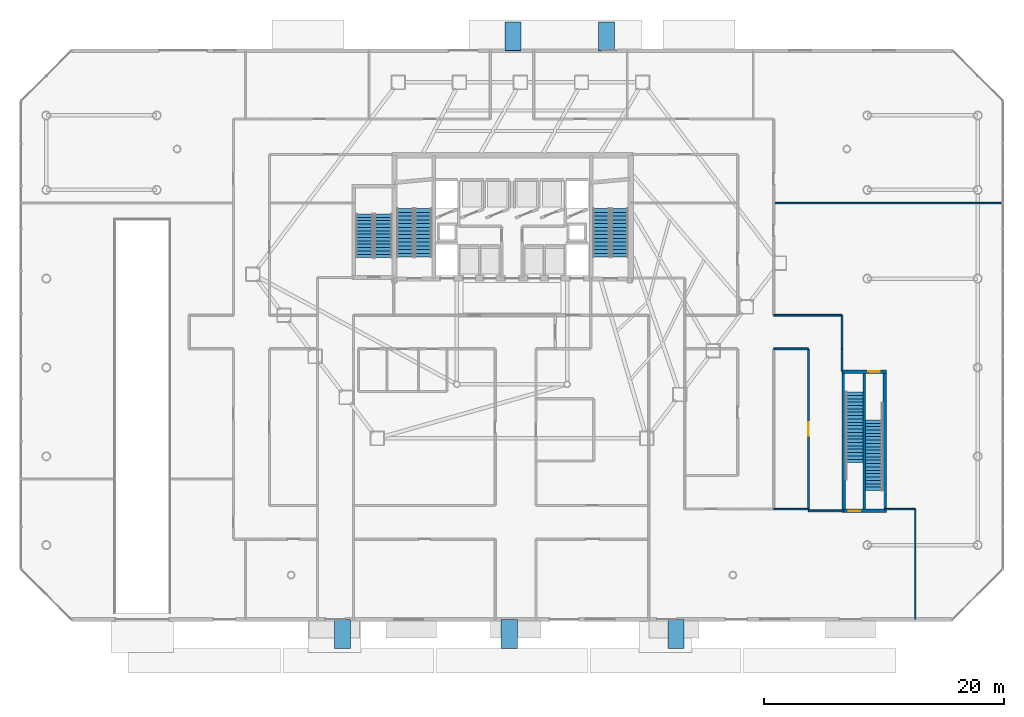
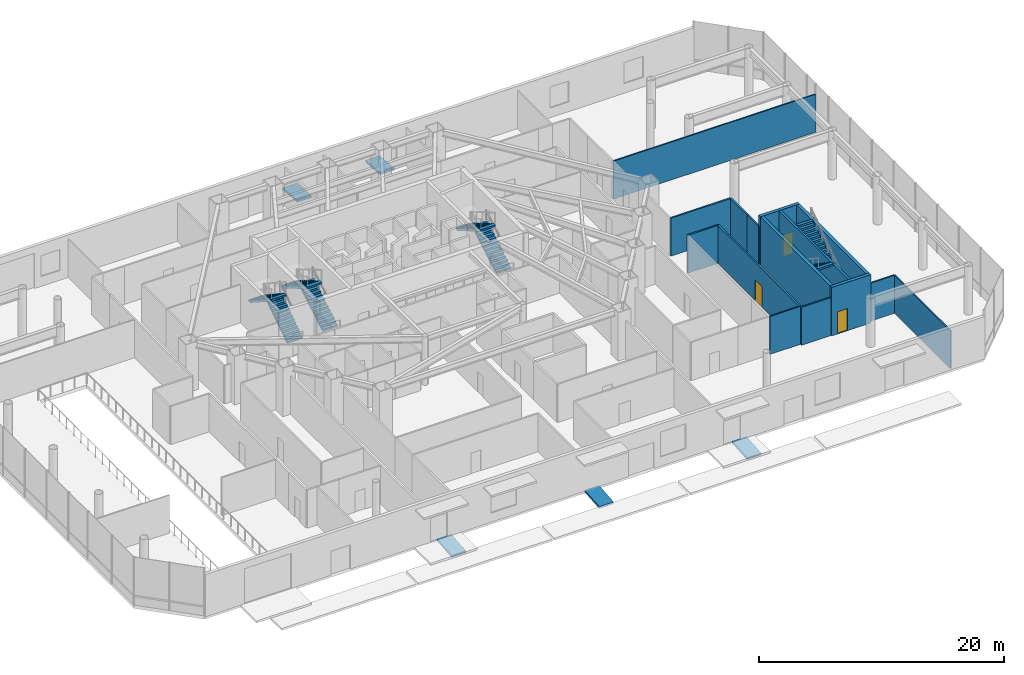
# One storey, part 27 of 31: 15 walls, 8 stair flights, 5 ramp flights, 3 doors, 3 openings, 10 elements without a shape of their own.
"""IFC4 building model written with IfcOpenShell, lengths in metres."""

import ifcopenshell
import ifcopenshell.guid

model = None  # the IFC model being written
_history = None  # IfcOwnerHistory: only IFC2X3 demands one
_inside = {}  # id of a spatial element -> (the spatial element, [elements in it])
_under = {}  # id of a project, library or spatial element -> (it, [spatial elements below it])
_declared = {}  # id of a project -> (the project, [libraries it declares])
_typed = {}  # id of a type object -> (the type object, [elements of that type])
_made_of = {}  # id of a material, layer set ... -> (it, [elements and type objects made of it])


def new_model(schema):
    """Start an empty IFC model of exactly this schema.

    Asked for "IFC4X3", IfcOpenShell would pick the latest addendum, in which some entities
    have other attributes; the version numbers below select the first issue.
    IFC2X3 requires an IfcOwnerHistory on every rooted entity: one is made here for all.
    """
    global model, _history
    if schema == "IFC4X3":
        model = ifcopenshell.file(schema_version=(4, 3, 0, 0))
    else:
        model = ifcopenshell.file(schema=schema)
    _inside.clear()
    _under.clear()
    _declared.clear()
    _typed.clear()
    _made_of.clear()
    _history = None
    if model.schema == "IFC2X3":
        org = make("IfcOrganization", Name="unknown")
        user = make(
            "IfcPersonAndOrganization",
            ThePerson=make("IfcPerson", FamilyName="unknown"),
            TheOrganization=org,
        )
        app = make(
            "IfcApplication",
            ApplicationDeveloper=org,
            Version="unknown",
            ApplicationFullName="unknown",
            ApplicationIdentifier="unknown",
        )
        _history = make(
            "IfcOwnerHistory",
            OwningUser=user,
            OwningApplication=app,
            ChangeAction="ADDED",
            CreationDate=0,
        )
    return model


def make(cls, **values):
    """One entity of the class cls with the attributes given. An attribute that is None is left unset."""
    return model.create_entity(
        cls, **{name: value for name, value in values.items() if value is not None}
    )


def rooted(cls, **values):
    """An entity with a GlobalId (a new one), such as an element, a storey or a relation."""
    return make(cls, GlobalId=ifcopenshell.guid.new(), OwnerHistory=_history, **values)


def si_unit(unit_type, name, prefix=None):
    """IfcSIUnit, for example si_unit("LENGTHUNIT", "METRE", prefix="MILLI")."""
    return make("IfcSIUnit", UnitType=unit_type, Prefix=prefix, Name=name)


def assignment(units):
    """IfcUnitAssignment: the units of a project."""
    return None if units is None else make("IfcUnitAssignment", Units=units)


def point(xyz):
    """IfcCartesianPoint."""
    return None if xyz is None else make("IfcCartesianPoint", Coordinates=xyz)


def direction(xyz):
    """IfcDirection."""
    return None if xyz is None else make("IfcDirection", DirectionRatios=xyz)


def frame(location, z_axis=None, x_axis=None):
    """IfcAxis2Placement3D, a coordinate frame: its origin and axes. An axis left out is left unset."""
    return make(
        "IfcAxis2Placement3D",
        Location=point(location),
        Axis=direction(z_axis),
        RefDirection=direction(x_axis),
    )


def frame_2d(location, x_axis=None):
    """IfcAxis2Placement2D, a coordinate frame in the plane: its origin and x axis."""
    return make(
        "IfcAxis2Placement2D", Location=point(location), RefDirection=direction(x_axis)
    )


def origin():
    """The frame at (0, 0, 0) with its axes left unset."""
    return frame((0.0, 0.0, 0.0))


def place(relative_to, where):
    """IfcLocalPlacement: puts the frame where relative to a parent placement (None: the world)."""
    return make(
        "IfcLocalPlacement", PlacementRelTo=relative_to, RelativePlacement=where
    )


def context(
    kind, dimensions, precision=None, world=None, true_north=None, identifier=None
):
    """IfcGeometricRepresentationContext, for example the 3D "Model" context."""
    return make(
        "IfcGeometricRepresentationContext",
        ContextIdentifier=identifier,
        ContextType=kind,
        CoordinateSpaceDimension=dimensions,
        Precision=precision,
        WorldCoordinateSystem=world,
        TrueNorth=true_north,
    )


def subcontext(parent, identifier, kind, view, scale=None):
    """IfcGeometricRepresentationSubContext, for example "Body" below "Model"."""
    return make(
        "IfcGeometricRepresentationSubContext",
        ContextIdentifier=identifier,
        ContextType=kind,
        ParentContext=parent,
        TargetScale=scale,
        TargetView=view,
    )


def project(units=None, contexts=None):
    """IfcProject with its units and contexts."""
    return rooted(
        "IfcProject",
        Name="project",
        RepresentationContexts=contexts,
        UnitsInContext=assignment(units),
    )


def spatial(cls, under=None, at=None, **own):
    """A site, building, storey or space (cls), placed at a placement, below another one or the project."""
    s = rooted(cls, ObjectPlacement=at, **own)
    if under is not None:
        _under.setdefault(under.id(), (under, []))[1].append(s)
    return s


def polyline(points):
    """IfcPolyline through the points."""
    return make("IfcPolyline", Points=[point(p) for p in points])


def profile(cls, at=None, kind="AREA", **sizes):
    """A parametric profile (cls). Its sizes go by their IFC names, for example OverallWidth=200.0."""
    return make(cls, ProfileType=kind, Position=at, **sizes)


def rectangle(**sizes):
    """IfcRectangleProfileDef."""
    return profile("IfcRectangleProfileDef", **sizes)


def outline(outer, holes=None, kind="AREA"):
    """IfcArbitraryClosedProfileDef: a profile drawn as a closed curve; with holes, ...WithVoids."""
    if holes is None:
        return make("IfcArbitraryClosedProfileDef", ProfileType=kind, OuterCurve=outer)
    return make(
        "IfcArbitraryProfileDefWithVoids",
        ProfileType=kind,
        OuterCurve=outer,
        InnerCurves=holes,
    )


def extrude(swept, where, along, depth):
    """IfcExtrudedAreaSolid: the profile swept, set in the frame where, extruded along a direction by depth."""
    return make(
        "IfcExtrudedAreaSolid",
        SweptArea=swept,
        Position=where,
        ExtrudedDirection=direction(along),
        Depth=depth,
    )


def shape(context_of_items, identifier, shape_type, items):
    """IfcShapeRepresentation: the items that make up one representation, for example the "Body"."""
    return make(
        "IfcShapeRepresentation",
        ContextOfItems=context_of_items,
        RepresentationIdentifier=identifier,
        RepresentationType=shape_type,
        Items=items,
    )


def material(Name=None, Category=None):
    """IfcMaterial."""
    return make("IfcMaterial", Name=Name, Category=Category)


def layer(
    of_material, thickness, ventilated=None, Name=None, Category=None, Priority=None
):
    """IfcMaterialLayer: one layer of a wall or slab, of a material (None: an air gap)."""
    return make(
        "IfcMaterialLayer",
        Material=of_material,
        LayerThickness=thickness,
        IsVentilated=ventilated,
        Name=Name,
        Category=Category,
        Priority=Priority,
    )


def layer_set(layers, Name=None):
    """IfcMaterialLayerSet."""
    return make("IfcMaterialLayerSet", MaterialLayers=layers, LayerSetName=Name)


def made_of(thing, what):
    """Note that an element or type object is made of a material, layer set ...; save() writes the relation."""
    if what is not None:
        _made_of.setdefault(what.id(), (what, []))[1].append(thing)
    return thing


def type_object(cls, material=None, **own):
    """A type object (cls), such as IfcWallType, which elements share."""
    return made_of(rooted(cls, **own), material)


def element(
    cls,
    number,
    at=None,
    inside=None,
    cuts=None,
    type_object=None,
    material=None,
    context=None,
    identifier="Body",
    shape_type=None,
    held_by="IfcProductDefinitionShape",
    body=None,
    shapes=None,
    **own,
):
    """One element of the class cls, such as IfcWall. Its Tag is "e" and its number.

    at: its placement. inside: the storey or other place that contains it. cuts: it is an
    opening in that element (IfcRelVoidsElement). A single representation is given by context,
    identifier, shape_type and body (its items); several are given by shapes. held_by: the class
    of the entity that holds the representations. save() writes the other relations.
    """
    e = rooted(cls, Tag="e%d" % number, ObjectPlacement=at, **own)
    if body is not None:
        shapes = [shape(context, identifier, shape_type, body)]
    if shapes is not None:
        e.Representation = make(held_by, Representations=shapes)
    if inside is not None:
        _inside.setdefault(inside.id(), (inside, []))[1].append(e)
    if cuts is not None:
        rooted(
            "IfcRelVoidsElement", RelatingBuildingElement=cuts, RelatedOpeningElement=e
        )
    if type_object is not None:
        _typed.setdefault(type_object.id(), (type_object, []))[1].append(e)
    return made_of(e, material)


def fill(opening, filler):
    """IfcRelFillsElement: the door or window that sits in an opening."""
    return rooted(
        "IfcRelFillsElement",
        RelatingOpeningElement=opening,
        RelatedBuildingElement=filler,
    )


def aggregate(whole, parts):
    """IfcRelAggregates: a whole, such as a stair, and the parts it consists of."""
    return rooted("IfcRelAggregates", RelatingObject=whole, RelatedObjects=parts)


def save(model, path):
    """Write the relations noted so far, then the file.

    IfcRelAggregates (storeys below a building ...), IfcRelContainedInSpatialStructure (elements
    in a storey), IfcRelDefinesByType, IfcRelAssociatesMaterial and IfcRelDeclares: one each for
    every whole, place, type object, material and project.
    """
    for whole, parts in _under.values():
        aggregate(whole, parts)
    for where, things in _inside.values():
        rooted(
            "IfcRelContainedInSpatialStructure",
            RelatedElements=things,
            RelatingStructure=where,
        )
    for kind, things in _typed.values():
        rooted("IfcRelDefinesByType", RelatedObjects=things, RelatingType=kind)
    for what, things in _made_of.values():
        rooted("IfcRelAssociatesMaterial", RelatedObjects=things, RelatingMaterial=what)
    for by, libraries in _declared.values():
        rooted("IfcRelDeclares", RelatingContext=by, RelatedDefinitions=libraries)
    model.write(path)


model = new_model("IFC4")

# Units and contexts
model_context = context("Model", 3, precision=1e-05, world=origin(), true_north=direction((0.0, 1.0)))
body_context = subcontext(model_context, "Body", "Model", "MODEL_VIEW")
ifc_project = project(units=[si_unit("LENGTHUNIT", "METRE"), si_unit("AREAUNIT", "SQUARE_METRE"), si_unit("VOLUMEUNIT", "CUBIC_METRE"), si_unit("PLANEANGLEUNIT", "RADIAN"), si_unit("MASSUNIT", "GRAM", prefix="KILO")], contexts=[model_context])

# Site, building, storey
site_placement = place(None, origin())
site = spatial("IfcSite", under=ifc_project, at=site_placement, CompositionType="ELEMENT")
building_placement = place(site_placement, origin())
building = spatial("IfcBuilding", under=site, at=building_placement, Name="Zarrinselat Tower", CompositionType="ELEMENT")
storey_placement = place(building_placement, origin())
storey = spatial("IfcBuildingStorey", under=building, at=storey_placement, Name="L00", CompositionType="ELEMENT", Elevation=0.0)

# Wall
ifc_material_1 = material(Name="Fire-Rated Gypsum Board Partition", Category="gypsum")
ifc_layer_1 = layer(ifc_material_1, 0.14990234375)
ifc_layer_set_1 = layer_set([ifc_layer_1], Name="Fire-Rated Gypsum Board Partition")
wall_type_1 = type_object("IfcWallType", Name="WAL-PART-EI60", PredefinedType="PARTITIONING", material=ifc_layer_set_1)
wall_1_placement = place(storey_placement, frame((63.10009765625, 13.85009765625, 0.0), z_axis=(0.0, 0.0, 1.0), x_axis=(1.0, 0.0, 0.0)))
element("IfcWall", 1, at=wall_1_placement, inside=storey, type_object=wall_type_1, Name="L00 Partition Wall 35", PredefinedType="PARTITIONING", context=body_context, shape_type="SweptSolid", body=[
    extrude(rectangle(XDim=2.934814453125, YDim=0.14990234375, at=frame_2d((1.46728515625, 0.0))), origin(), (0.0, 0.0, 1.0), 3.777099609375),
])

# Wall, opening, door
wall_2_placement = place(storey_placement, frame((63.10009765625, 14.0048828125, 0.0), z_axis=(0.0, 0.0, 1.0), x_axis=(0.0, 1.0, 0.0)))
wall_2 = element("IfcWall", 2, at=wall_2_placement, inside=storey, type_object=wall_type_1, Name="L00 Partition Wall 38", PredefinedType="PARTITIONING", context=body_context, shape_type="SweptSolid", body=[
    extrude(rectangle(XDim=13.3251953125, YDim=0.14990234375, at=frame_2d((6.66259765625, 0.0))), origin(), (0.0, 0.0, 1.0), 3.777099609375),
])
opening_1_placement = place(wall_2_placement, frame((6.1025390625, 0.0, 0.0)))
opening_1 = element("IfcOpeningElement", 3, at=opening_1_placement, cuts=wall_2, Name="Opening ID-02", PredefinedType="OPENING", context=body_context, shape_type="SweptSolid", body=[
    extrude(rectangle(XDim=1.1201171875, YDim=2.050048828125, at=frame_2d((0.56005859375, 1.02490234375))), frame((0.0, 0.0849609375, 0.0), z_axis=(0.0, -1.0, 0.0), x_axis=(1.0, 0.0, 0.0)), (0.0, 0.0, 1.0), 0.169921875),
])
ifc_material_2 = material(Name="Steel S355J2", Category="steel")
door_type_1 = type_object("IfcDoorType", Name="DR-INT-FD60-W", OperationType="NOTDEFINED", PredefinedType="DOOR", material=ifc_material_2)
door_1_placement = place(opening_1_placement, origin())
door_1 = element("IfcDoor", 4, at=door_1_placement, inside=storey, type_object=door_type_1, Name="L00 Interior Door P38", OperationType="SINGLE_SWING_LEFT", OverallHeight=2.050048828125, OverallWidth=1.1201171875, PredefinedType="DOOR", context=body_context, shape_type="SweptSolid", body=[
    extrude(rectangle(XDim=1.1201171875, YDim=2.050048828125, at=frame_2d((0.56005859375, 1.02490234375))), frame((0.0, 0.02490234375, 0.0), z_axis=(0.0, -1.0, 0.0), x_axis=(1.0, 0.0, 0.0)), (0.0, 0.0, 1.0), 0.050048828125),
])
fill(opening_1, door_1)

# Walls
wall_3_placement = place(storey_placement, frame((60.219970703125, 27.35009765625, 0.0), z_axis=(0.0, 0.0, 1.0), x_axis=(1.0, 0.0, 0.0)))
element("IfcWall", 5, at=wall_3_placement, inside=storey, type_object=wall_type_1, Name="L00 Partition Wall 39", PredefinedType="PARTITIONING", context=body_context, shape_type="SweptSolid", body=[
    extrude(rectangle(XDim=2.860107421875, YDim=0.14990234375, at=frame_2d((1.43017578125, 0.0))), origin(), (0.0, 0.0, 1.0), 3.777099609375),
])
wall_4_placement = place(storey_placement, frame((60.219970703125, 30.14990234375, 0.0), z_axis=(0.0, 0.0, 1.0), x_axis=(1.0, 0.0, 0.0)))
element("IfcWall", 6, at=wall_4_placement, inside=storey, type_object=wall_type_1, Name="L00 Partition Wall 43", PredefinedType="PARTITIONING", context=body_context, shape_type="SweptSolid", body=[
    extrude(rectangle(XDim=5.659912109375, YDim=0.14990234375, at=frame_2d((2.830078125, 0.0))), origin(), (0.0, 0.0, 1.0), 3.777099609375),
])
wall_5_placement = place(storey_placement, frame((65.89990234375, 27.35009765625, 0.0), z_axis=(0.0, 0.0, 1.0), x_axis=(0.0, 1.0, 0.0)))
element("IfcWall", 7, at=wall_5_placement, inside=storey, type_object=wall_type_1, Name="L00 Partition Wall 44", PredefinedType="PARTITIONING", context=body_context, shape_type="SweptSolid", body=[
    extrude(rectangle(XDim=2.77978515625, YDim=0.14990234375, at=frame_2d((1.389892578125, 0.0))), origin(), (0.0, 0.0, 1.0), 3.777099609375),
])
wall_6_placement = place(storey_placement, frame((65.89990234375, 25.469970703125, 0.0), z_axis=(0.0, 0.0, 1.0), x_axis=(0.0, 1.0, 0.0)))
element("IfcWall", 8, at=wall_6_placement, inside=storey, type_object=wall_type_1, Name="L00 Partition Wall 45", PredefinedType="PARTITIONING", context=body_context, shape_type="SweptSolid", body=[
    extrude(rectangle(XDim=1.880126953125, YDim=0.14990234375, at=frame_2d((0.93994140625, 0.0))), origin(), (0.0, 0.0, 1.0), 3.777099609375),
])
ifc_material_3 = material(Name="Fire-Rated Gypsum Board Partition", Category="gypsum")
ifc_layer_2 = layer(ifc_material_3, 0.1201171875)
ifc_layer_set_2 = layer_set([ifc_layer_2], Name="Fire-Rated Gypsum Board Partition")
wall_type_2 = type_object("IfcWallType", Name="WAL-PART-STD", PredefinedType="PARTITIONING", material=ifc_layer_set_2)
wall_7_placement = place(storey_placement, frame((60.219970703125, 14.0, 0.0), z_axis=(0.0, 0.0, 1.0), x_axis=(1.0, 0.0, 0.0)))
element("IfcWall", 9, at=wall_7_placement, inside=storey, type_object=wall_type_2, Name="L00 Partition Wall 109", PredefinedType="PARTITIONING", context=body_context, shape_type="SweptSolid", body=[
    extrude(rectangle(XDim=2.860107421875, YDim=0.1201171875, at=frame_2d((1.43017578125, 0.0))), origin(), (0.0, 0.0, 1.0), 3.777099609375),
])
wall_8_placement = place(storey_placement, frame((69.465087890625, 14.0, 0.0), z_axis=(0.0, 0.0, 1.0), x_axis=(1.0, 0.0, 0.0)))
element("IfcWall", 10, at=wall_8_placement, inside=storey, type_object=wall_type_2, Name="L00 Partition Wall 110", PredefinedType="PARTITIONING", context=body_context, shape_type="SweptSolid", body=[
    extrude(rectangle(XDim=2.514892578125, YDim=0.1201171875, at=frame_2d((1.25732421875, 0.0))), origin(), (0.0, 0.0, 1.0), 3.777099609375),
])
wall_9_placement = place(storey_placement, frame((72.0, 4.81494140625, 0.0), z_axis=(0.0, 0.0, 1.0), x_axis=(0.0, 1.0, 0.0)))
element("IfcWall", 11, at=wall_9_placement, inside=storey, type_object=wall_type_2, Name="L00 Partition Wall 111", PredefinedType="PARTITIONING", context=body_context, shape_type="SweptSolid", body=[
    extrude(rectangle(XDim=9.1650390625, YDim=0.1201171875, at=frame_2d((4.58251953125, 0.0))), origin(), (0.0, 0.0, 1.0), 3.777099609375),
])
wall_10_placement = place(storey_placement, frame((60.219970703125, 39.5, 0.0), z_axis=(0.0, 0.0, 1.0), x_axis=(1.0, 0.0, 0.0)))
element("IfcWall", 12, at=wall_10_placement, inside=storey, type_object=wall_type_2, Name="L00 Partition Wall 112", PredefinedType="PARTITIONING", context=body_context, shape_type="SweptSolid", body=[
    extrude(rectangle(XDim=19.06494140625, YDim=0.1201171875, at=frame_2d((9.532470703125, 0.0))), origin(), (0.0, 0.0, 1.0), 3.777099609375),
])

# Wall, opening, door
ifc_material_4 = material(Name="Concrete C40/50", Category="concrete")
ifc_layer_3 = layer(ifc_material_4, 0.300048828125)
ifc_layer_set_3 = layer_set([ifc_layer_3], Name="Concrete C40/50")
wall_type_3 = type_object("IfcWallType", Name="WAL-SHEAR-300", PredefinedType="SHEAR", material=ifc_layer_set_3)
wall_11_placement = place(storey_placement, frame((65.89990234375, 25.449951171875, 0.0), z_axis=(0.0, 0.0, 1.0), x_axis=(1.0, 0.0, 0.0)))
wall_11 = element("IfcWall", 13, at=wall_11_placement, inside=storey, type_object=wall_type_3, Name="L00 Stair 4 North Shear Wall", PredefinedType="SHEAR", context=body_context, shape_type="SweptSolid", body=[
    extrude(rectangle(XDim=3.7001953125, YDim=0.300048828125, at=frame_2d((1.85009765625, 0.0))), origin(), (0.0, 0.0, 1.0), 4.820068359375),
])
opening_2_placement = place(wall_11_placement, frame((2.199951171875, 0.0, 0.0)))
opening_2 = element("IfcOpeningElement", 14, at=opening_2_placement, cuts=wall_11, Name="Opening SD-02", PredefinedType="OPENING", context=body_context, shape_type="SweptSolid", body=[
    extrude(rectangle(XDim=0.949951171875, YDim=2.199951171875, at=frame_2d((0.47509765625, 1.10009765625))), frame((0.0, 0.159912109375, 0.0), z_axis=(0.0, -1.0, 0.0), x_axis=(1.0, 0.0, 0.0)), (0.0, 0.0, 1.0), 0.320068359375),
])
ifc_material_5 = material(Name="Steel S355J2", Category="steel")
door_type_2 = type_object("IfcDoorType", Name="DR-STAIR-1050", OperationType="NOTDEFINED", PredefinedType="DOOR", material=ifc_material_5)
door_2_placement = place(opening_2_placement, origin())
door_2 = element("IfcDoor", 15, at=door_2_placement, inside=storey, type_object=door_type_2, Name="L00 Stair 4B Fire Door", OperationType="SINGLE_SWING_RIGHT", OverallHeight=2.199951171875, OverallWidth=0.949951171875, PredefinedType="DOOR", context=body_context, shape_type="SweptSolid", body=[
    extrude(rectangle(XDim=0.949951171875, YDim=2.199951171875, at=frame_2d((0.47509765625, 1.10009765625))), frame((0.0, 0.02490234375, 0.0), z_axis=(0.0, -1.0, 0.0), x_axis=(1.0, 0.0, 0.0)), (0.0, 0.0, 1.0), 0.050048828125),
])
fill(opening_2, door_2)

wall_12_placement = place(storey_placement, frame((65.89990234375, 13.85009765625, 0.0), z_axis=(0.0, 0.0, 1.0), x_axis=(1.0, 0.0, 0.0)))
wall_12 = element("IfcWall", 16, at=wall_12_placement, inside=storey, type_object=wall_type_3, Name="L00 Stair 4 South Shear Wall", PredefinedType="SHEAR", context=body_context, shape_type="SweptSolid", body=[
    extrude(rectangle(XDim=3.7001953125, YDim=0.300048828125, at=frame_2d((1.85009765625, 0.0))), origin(), (0.0, 0.0, 1.0), 4.820068359375),
])
opening_3_placement = place(wall_12_placement, frame((0.550048828125, 0.0, 0.0)))
opening_3 = element("IfcOpeningElement", 17, at=opening_3_placement, cuts=wall_12, Name="Opening SD-02", PredefinedType="OPENING", context=body_context, shape_type="SweptSolid", body=[
    extrude(rectangle(XDim=0.949951171875, YDim=2.199951171875, at=frame_2d((0.47509765625, 1.10009765625))), frame((0.0, 0.159912109375, 0.0), z_axis=(0.0, -1.0, 0.0), x_axis=(1.0, 0.0, 0.0)), (0.0, 0.0, 1.0), 0.320068359375),
])
door_3_placement = place(opening_3_placement, origin())
door_3 = element("IfcDoor", 18, at=door_3_placement, inside=storey, type_object=door_type_2, Name="L00 Stair 4A Fire Door", OperationType="SINGLE_SWING_LEFT", OverallHeight=2.199951171875, OverallWidth=0.949951171875, PredefinedType="DOOR", context=body_context, shape_type="SweptSolid", body=[
    extrude(rectangle(XDim=0.949951171875, YDim=2.199951171875, at=frame_2d((0.47509765625, 1.10009765625))), frame((0.0, 0.02490234375, 0.0), z_axis=(0.0, -1.0, 0.0), x_axis=(1.0, 0.0, 0.0)), (0.0, 0.0, 1.0), 0.050048828125),
])
fill(opening_3, door_3)

# Walls
for number, where, z_axis, x_axis, name in (
    (19, (66.050048828125, 13.85009765625, 0.0), (0.0, 0.0, 1.0), (0.0, 1.0, 0.0), "L00 Stair 4 West Shear Wall"),
    (20, (69.449951171875, 13.85009765625, 0.0), (0.0, 0.0, 1.0), (0.0, 1.0, 0.0), "L00 Stair 4 East Shear Wall"),
):
    element("IfcWall", number, at=place(storey_placement, frame(where, z_axis=z_axis, x_axis=x_axis)), inside=storey, type_object=wall_type_3, Name=name, PredefinedType="SHEAR", context=body_context, shape_type="SweptSolid", body=[
        extrude(rectangle(XDim=11.599853515625, YDim=0.300048828125, at=frame_2d((5.7998046875, 0.0))), origin(), (0.0, 0.0, 1.0), 4.820068359375),
    ])
wall_13_placement = place(storey_placement, frame((67.75, 14.0, 0.0), z_axis=(0.0, 0.0, 1.0), x_axis=(0.0, 1.0, 0.0)))
element("IfcWall", 21, at=wall_13_placement, inside=storey, type_object=wall_type_3, Name="L00 Stair 4 Scissor Dividing Wall", PredefinedType="SHEAR", context=body_context, shape_type="SweptSolid", body=[
    extrude(rectangle(XDim=11.300048828125, YDim=0.199951171875, at=frame_2d((5.64990234375, 0.0))), origin(), (0.0, 0.0, 1.0), 4.820068359375),
])

# Stair, stair flights
ifc_material_6 = material(Name="Concrete C40/50", Category="concrete")
stair_type_1 = type_object("IfcStairType", Name="STR-CORE-145", PredefinedType="HALF_TURN_STAIR", material=ifc_material_6)
stair_1_placement = place(storey_placement, origin())
stair_1 = element("IfcStair", 22, at=stair_1_placement, inside=storey, type_object=stair_type_1, Name="L00 Podium & Mid-Tower Exit Stair 3", PredefinedType="HALF_TURN_STAIR")
ifc_material_7 = material(Name="Concrete C40/50", Category="concrete")
stair_flight_type_1 = type_object("IfcStairFlightType", Name="STR-FLT-145", PredefinedType="STRAIGHT", material=ifc_material_7)
stair_flight_1_placement = place(storey_placement, frame((27.675048828125, 34.949951171875, 0.0), z_axis=(0.0, 0.0, 1.0), x_axis=(0.0, 1.0, 0.0)))
stair_flight_1 = element("IfcStairFlight", 23, at=stair_flight_1_placement, type_object=stair_flight_type_1, Name="ST-3 flight 1", NumberOfRisers=14, NumberOfTreads=13, PredefinedType="STRAIGHT", RiserHeight=0.182142857, TreadLength=0.28, context=body_context, shape_type="SweptSolid", body=[
    extrude(outline(polyline([(0.0, 0.0), (0.0, 0.18212890625), (0.280029296875, 0.18212890625), (0.280029296875, 0.3642578125), (0.56005859375, 0.3642578125), (0.56005859375, 0.54638671875), (0.840087890625, 0.54638671875), (0.840087890625, 0.728515625), (1.1201171875, 0.728515625), (1.1201171875, 0.91064453125), (1.39990234375, 0.91064453125), (1.39990234375, 1.0927734375), (1.679931640625, 1.0927734375), (1.679931640625, 1.27490234375), (1.9599609375, 1.27490234375), (1.9599609375, 1.45703125), (2.239990234375, 1.45703125), (2.239990234375, 1.639404296875), (2.52001953125, 1.639404296875), (2.52001953125, 1.821533203125), (2.800048828125, 1.821533203125), (2.800048828125, 2.003662109375), (3.080078125, 2.003662109375), (3.080078125, 2.185791015625), (3.360107421875, 2.185791015625), (3.360107421875, 2.367919921875), (3.639892578125, 2.367919921875), (3.639892578125, 2.550048828125), (3.639892578125, 2.18896484375), (0.27490234375, 0.0), (0.0, 0.0)])), frame((0.0, 0.72509765625, 0.0), z_axis=(0.0, -1.0, 0.0), x_axis=(1.0, 0.0, 0.0)), (0.0, 0.0, 1.0), 1.449951171875),
])
stair_flight_2_placement = place(storey_placement, frame((26.10498046875, 38.590087890625, 2.550048828125), z_axis=(0.0, 0.0, 1.0), x_axis=(0.0, -1.0, 0.0)))
stair_flight_2 = element("IfcStairFlight", 24, at=stair_flight_2_placement, type_object=stair_flight_type_1, Name="ST-3 flight 2", NumberOfRisers=14, NumberOfTreads=13, PredefinedType="STRAIGHT", RiserHeight=0.182142857, TreadLength=0.28, context=body_context, shape_type="SweptSolid", body=[
    extrude(outline(polyline([(0.0, 0.0), (0.0, 0.18212890625), (0.280029296875, 0.18212890625), (0.280029296875, 0.3642578125), (0.56005859375, 0.3642578125), (0.56005859375, 0.54638671875), (0.840087890625, 0.54638671875), (0.840087890625, 0.728515625), (1.1201171875, 0.728515625), (1.1201171875, 0.91064453125), (1.39990234375, 0.91064453125), (1.39990234375, 1.0927734375), (1.679931640625, 1.0927734375), (1.679931640625, 1.27490234375), (1.9599609375, 1.27490234375), (1.9599609375, 1.45703125), (2.239990234375, 1.45703125), (2.239990234375, 1.639404296875), (2.52001953125, 1.639404296875), (2.52001953125, 1.821533203125), (2.800048828125, 1.821533203125), (2.800048828125, 2.003662109375), (3.080078125, 2.003662109375), (3.080078125, 2.185791015625), (3.360107421875, 2.185791015625), (3.360107421875, 2.367919921875), (3.639892578125, 2.367919921875), (3.639892578125, 2.550048828125), (3.639892578125, 2.18896484375), (0.27490234375, 0.0), (0.0, 0.0)])), frame((0.0, 0.72509765625, 0.0), z_axis=(0.0, -1.0, 0.0), x_axis=(1.0, 0.0, 0.0)), (0.0, 0.0, 1.0), 1.449951171875),
])
aggregate(stair_1, [stair_flight_1, stair_flight_2])

ifc_material_8 = material(Name="Concrete C40/50", Category="concrete")
stair_type_2 = type_object("IfcStairType", Name="STR-CORE-155", PredefinedType="HALF_TURN_STAIR", material=ifc_material_8)
stair_2_placement = place(storey_placement, origin())
stair_2 = element("IfcStair", 25, at=stair_2_placement, inside=storey, type_object=stair_type_2, Name="L00 Core Exit Stair 1", PredefinedType="HALF_TURN_STAIR")
ifc_material_9 = material(Name="Concrete C40/50", Category="concrete")
stair_flight_type_2 = type_object("IfcStairFlightType", Name="STR-FLT-155", PredefinedType="STRAIGHT", material=ifc_material_9)
stair_flight_3_placement = place(storey_placement, frame((31.02001953125, 35.0, 0.0), z_axis=(0.0, 0.0, 1.0), x_axis=(0.0, 1.0, 0.0)))
stair_flight_3 = element("IfcStairFlight", 26, at=stair_flight_3_placement, type_object=stair_flight_type_2, Name="ST-1 flight 1", NumberOfRisers=14, NumberOfTreads=13, PredefinedType="STRAIGHT", RiserHeight=0.182142857, TreadLength=0.31, context=body_context, shape_type="SweptSolid", body=[
    extrude(outline(polyline([(0.0, 0.0), (0.0, 0.18212890625), (0.31005859375, 0.18212890625), (0.31005859375, 0.3642578125), (0.6201171875, 0.3642578125), (0.6201171875, 0.54638671875), (0.929931640625, 0.54638671875), (0.929931640625, 0.728515625), (1.239990234375, 0.728515625), (1.239990234375, 0.91064453125), (1.550048828125, 0.91064453125), (1.550048828125, 1.0927734375), (1.860107421875, 1.0927734375), (1.860107421875, 1.27490234375), (2.169921875, 1.27490234375), (2.169921875, 1.45703125), (2.47998046875, 1.45703125), (2.47998046875, 1.639404296875), (2.7900390625, 1.639404296875), (2.7900390625, 1.821533203125), (3.10009765625, 1.821533203125), (3.10009765625, 2.003662109375), (3.409912109375, 2.003662109375), (3.409912109375, 2.185791015625), (3.719970703125, 2.185791015625), (3.719970703125, 2.367919921875), (4.030029296875, 2.367919921875), (4.030029296875, 2.550048828125), (4.030029296875, 2.194091796875), (0.2958984375, 0.0), (0.0, 0.0)])), frame((0.0, 0.699951171875, 0.0), z_axis=(0.0, -1.0, 0.0), x_axis=(1.0, 0.0, 0.0)), (0.0, 0.0, 1.0), 1.39990234375),
])
stair_flight_4_placement = place(storey_placement, frame((29.5, 39.030029296875, 2.550048828125), z_axis=(0.0, 0.0, 1.0), x_axis=(0.0, -1.0, 0.0)))
stair_flight_4 = element("IfcStairFlight", 27, at=stair_flight_4_placement, type_object=stair_flight_type_2, Name="ST-1 flight 2", NumberOfRisers=14, NumberOfTreads=13, PredefinedType="STRAIGHT", RiserHeight=0.182142857, TreadLength=0.31, context=body_context, shape_type="SweptSolid", body=[
    extrude(outline(polyline([(0.0, 0.0), (0.0, 0.18212890625), (0.31005859375, 0.18212890625), (0.31005859375, 0.3642578125), (0.6201171875, 0.3642578125), (0.6201171875, 0.54638671875), (0.929931640625, 0.54638671875), (0.929931640625, 0.728515625), (1.239990234375, 0.728515625), (1.239990234375, 0.91064453125), (1.550048828125, 0.91064453125), (1.550048828125, 1.0927734375), (1.860107421875, 1.0927734375), (1.860107421875, 1.27490234375), (2.169921875, 1.27490234375), (2.169921875, 1.45703125), (2.47998046875, 1.45703125), (2.47998046875, 1.639404296875), (2.7900390625, 1.639404296875), (2.7900390625, 1.821533203125), (3.10009765625, 1.821533203125), (3.10009765625, 2.003662109375), (3.409912109375, 2.003662109375), (3.409912109375, 2.185791015625), (3.719970703125, 2.185791015625), (3.719970703125, 2.367919921875), (4.030029296875, 2.367919921875), (4.030029296875, 2.550048828125), (4.030029296875, 2.194091796875), (0.2958984375, 0.0), (0.0, 0.0)])), frame((0.0, 0.699951171875, 0.0), z_axis=(0.0, -1.0, 0.0), x_axis=(1.0, 0.0, 0.0)), (0.0, 0.0, 1.0), 1.39990234375),
])
aggregate(stair_2, [stair_flight_3, stair_flight_4])

stair_3_placement = place(storey_placement, origin())
stair_3 = element("IfcStair", 28, at=stair_3_placement, inside=storey, type_object=stair_type_2, Name="L00 Core Exit Stair 2", PredefinedType="HALF_TURN_STAIR")
stair_flight_5_placement = place(storey_placement, frame((47.360107421875, 35.0, 0.0), z_axis=(0.0, 0.0, 1.0), x_axis=(0.0, 1.0, 0.0)))
stair_flight_5 = element("IfcStairFlight", 29, at=stair_flight_5_placement, type_object=stair_flight_type_2, Name="ST-2 flight 1", NumberOfRisers=14, NumberOfTreads=13, PredefinedType="STRAIGHT", RiserHeight=0.182142857, TreadLength=0.31, context=body_context, shape_type="SweptSolid", body=[
    extrude(outline(polyline([(0.0, 0.0), (0.0, 0.18212890625), (0.31005859375, 0.18212890625), (0.31005859375, 0.3642578125), (0.6201171875, 0.3642578125), (0.6201171875, 0.54638671875), (0.929931640625, 0.54638671875), (0.929931640625, 0.728515625), (1.239990234375, 0.728515625), (1.239990234375, 0.91064453125), (1.550048828125, 0.91064453125), (1.550048828125, 1.0927734375), (1.860107421875, 1.0927734375), (1.860107421875, 1.27490234375), (2.169921875, 1.27490234375), (2.169921875, 1.45703125), (2.47998046875, 1.45703125), (2.47998046875, 1.639404296875), (2.7900390625, 1.639404296875), (2.7900390625, 1.821533203125), (3.10009765625, 1.821533203125), (3.10009765625, 2.003662109375), (3.409912109375, 2.003662109375), (3.409912109375, 2.185791015625), (3.719970703125, 2.185791015625), (3.719970703125, 2.367919921875), (4.030029296875, 2.367919921875), (4.030029296875, 2.550048828125), (4.030029296875, 2.194091796875), (0.2958984375, 0.0), (0.0, 0.0)])), frame((0.0, 0.699951171875, 0.0), z_axis=(0.0, -1.0, 0.0), x_axis=(1.0, 0.0, 0.0)), (0.0, 0.0, 1.0), 1.39990234375),
])
stair_flight_6_placement = place(storey_placement, frame((45.840087890625, 39.030029296875, 2.550048828125), z_axis=(0.0, 0.0, 1.0), x_axis=(0.0, -1.0, 0.0)))
stair_flight_6 = element("IfcStairFlight", 30, at=stair_flight_6_placement, type_object=stair_flight_type_2, Name="ST-2 flight 2", NumberOfRisers=14, NumberOfTreads=13, PredefinedType="STRAIGHT", RiserHeight=0.182142857, TreadLength=0.31, context=body_context, shape_type="SweptSolid", body=[
    extrude(outline(polyline([(0.0, 0.0), (0.0, 0.18212890625), (0.31005859375, 0.18212890625), (0.31005859375, 0.3642578125), (0.6201171875, 0.3642578125), (0.6201171875, 0.54638671875), (0.929931640625, 0.54638671875), (0.929931640625, 0.728515625), (1.239990234375, 0.728515625), (1.239990234375, 0.91064453125), (1.550048828125, 0.91064453125), (1.550048828125, 1.0927734375), (1.860107421875, 1.0927734375), (1.860107421875, 1.27490234375), (2.169921875, 1.27490234375), (2.169921875, 1.45703125), (2.47998046875, 1.45703125), (2.47998046875, 1.639404296875), (2.7900390625, 1.639404296875), (2.7900390625, 1.821533203125), (3.10009765625, 1.821533203125), (3.10009765625, 2.003662109375), (3.409912109375, 2.003662109375), (3.409912109375, 2.185791015625), (3.719970703125, 2.185791015625), (3.719970703125, 2.367919921875), (4.030029296875, 2.367919921875), (4.030029296875, 2.550048828125), (4.030029296875, 2.194091796875), (0.2958984375, 0.0), (0.0, 0.0)])), frame((0.0, 0.699951171875, 0.0), z_axis=(0.0, -1.0, 0.0), x_axis=(1.0, 0.0, 0.0)), (0.0, 0.0, 1.0), 1.39990234375),
])
aggregate(stair_3, [stair_flight_5, stair_flight_6])

# Stair, stair flight
ifc_material_10 = material(Name="Precast concrete C40/50", Category="concrete")
stair_type_3 = type_object("IfcStairType", Name="STR-GDN-180", PredefinedType="STRAIGHT_RUN_STAIR", material=ifc_material_10)
stair_4_placement = place(storey_placement, origin())
stair_4 = element("IfcStair", 31, at=stair_4_placement, inside=storey, type_object=stair_type_3, Name="L00 East Podium Gallery Straight Stair 4 A", PredefinedType="STRAIGHT_RUN_STAIR")
ifc_material_11 = material(Name="Precast concrete C40/50", Category="concrete")
stair_flight_type_3 = type_object("IfcStairFlightType", Name="STR-FLT-180", PredefinedType="STRAIGHT", material=ifc_material_11)
stair_flight_7_placement = place(storey_placement, frame((68.574951171875, 15.550048828125, 0.0), z_axis=(0.0, 0.0, 1.0), x_axis=(0.0, 1.0, 0.0)))
stair_flight_7 = element("IfcStairFlight", 32, at=stair_flight_7_placement, type_object=stair_flight_type_3, Name="ST-4A flight 1", NumberOfRisers=27, NumberOfTreads=26, PredefinedType="STRAIGHT", RiserHeight=0.188888889, TreadLength=0.28, context=body_context, shape_type="SweptSolid", body=[
    extrude(outline(polyline([(0.0, 0.0), (0.0, 0.18896484375), (0.280029296875, 0.18896484375), (0.280029296875, 0.377685546875), (0.56005859375, 0.377685546875), (0.56005859375, 0.566650390625), (0.840087890625, 0.566650390625), (0.840087890625, 0.755615234375), (1.1201171875, 0.755615234375), (1.1201171875, 0.9443359375), (1.39990234375, 0.9443359375), (1.39990234375, 1.13330078125), (1.679931640625, 1.13330078125), (1.679931640625, 1.322265625), (1.9599609375, 1.322265625), (1.9599609375, 1.51123046875), (2.239990234375, 1.51123046875), (2.239990234375, 1.699951171875), (2.52001953125, 1.699951171875), (2.52001953125, 1.888916015625), (2.800048828125, 1.888916015625), (2.800048828125, 2.077880859375), (3.080078125, 2.077880859375), (3.080078125, 2.2666015625), (3.360107421875, 2.2666015625), (3.360107421875, 2.45556640625), (3.639892578125, 2.45556640625), (3.639892578125, 2.64453125), (3.919921875, 2.64453125), (3.919921875, 2.833251953125), (4.199951171875, 2.833251953125), (4.199951171875, 3.022216796875), (4.47998046875, 3.022216796875), (4.47998046875, 3.211181640625), (4.760009765625, 3.211181640625), (4.760009765625, 3.39990234375), (5.0400390625, 3.39990234375), (5.0400390625, 3.5888671875), (5.320068359375, 3.5888671875), (5.320068359375, 3.77783203125), (5.60009765625, 3.77783203125), (5.60009765625, 3.966552734375), (5.8798828125, 3.966552734375), (5.8798828125, 4.155517578125), (6.159912109375, 4.155517578125), (6.159912109375, 4.344482421875), (6.43994140625, 4.344482421875), (6.43994140625, 4.533447265625), (6.719970703125, 4.533447265625), (6.719970703125, 4.72216796875), (7.0, 4.72216796875), (7.0, 4.9111328125), (7.280029296875, 4.9111328125), (7.280029296875, 5.10009765625), (7.280029296875, 4.730224609375), (0.26806640625, 0.0), (0.0, 0.0)])), frame((0.0, 0.72509765625, 0.0), z_axis=(0.0, -1.0, 0.0), x_axis=(1.0, 0.0, 0.0)), (0.0, 0.0, 1.0), 1.449951171875),
])
aggregate(stair_4, [stair_flight_7])

stair_5_placement = place(storey_placement, origin())
stair_5 = element("IfcStair", 33, at=stair_5_placement, inside=storey, type_object=stair_type_3, Name="L00 East Podium Gallery Straight Stair 4 B", PredefinedType="STRAIGHT_RUN_STAIR")
stair_flight_8_placement = place(storey_placement, frame((66.925048828125, 23.75, 0.0), z_axis=(0.0, 0.0, 1.0), x_axis=(0.0, -1.0, 0.0)))
stair_flight_8 = element("IfcStairFlight", 34, at=stair_flight_8_placement, type_object=stair_flight_type_3, Name="ST-4B flight 1", NumberOfRisers=27, NumberOfTreads=26, PredefinedType="STRAIGHT", RiserHeight=0.188888889, TreadLength=0.28, context=body_context, shape_type="SweptSolid", body=[
    extrude(outline(polyline([(0.0, 0.0), (0.0, 0.18896484375), (0.280029296875, 0.18896484375), (0.280029296875, 0.377685546875), (0.56005859375, 0.377685546875), (0.56005859375, 0.566650390625), (0.840087890625, 0.566650390625), (0.840087890625, 0.755615234375), (1.1201171875, 0.755615234375), (1.1201171875, 0.9443359375), (1.39990234375, 0.9443359375), (1.39990234375, 1.13330078125), (1.679931640625, 1.13330078125), (1.679931640625, 1.322265625), (1.9599609375, 1.322265625), (1.9599609375, 1.51123046875), (2.239990234375, 1.51123046875), (2.239990234375, 1.699951171875), (2.52001953125, 1.699951171875), (2.52001953125, 1.888916015625), (2.800048828125, 1.888916015625), (2.800048828125, 2.077880859375), (3.080078125, 2.077880859375), (3.080078125, 2.2666015625), (3.360107421875, 2.2666015625), (3.360107421875, 2.45556640625), (3.639892578125, 2.45556640625), (3.639892578125, 2.64453125), (3.919921875, 2.64453125), (3.919921875, 2.833251953125), (4.199951171875, 2.833251953125), (4.199951171875, 3.022216796875), (4.47998046875, 3.022216796875), (4.47998046875, 3.211181640625), (4.760009765625, 3.211181640625), (4.760009765625, 3.39990234375), (5.0400390625, 3.39990234375), (5.0400390625, 3.5888671875), (5.320068359375, 3.5888671875), (5.320068359375, 3.77783203125), (5.60009765625, 3.77783203125), (5.60009765625, 3.966552734375), (5.8798828125, 3.966552734375), (5.8798828125, 4.155517578125), (6.159912109375, 4.155517578125), (6.159912109375, 4.344482421875), (6.43994140625, 4.344482421875), (6.43994140625, 4.533447265625), (6.719970703125, 4.533447265625), (6.719970703125, 4.72216796875), (7.0, 4.72216796875), (7.0, 4.9111328125), (7.280029296875, 4.9111328125), (7.280029296875, 5.10009765625), (7.280029296875, 4.730224609375), (0.26806640625, 0.0), (0.0, 0.0)])), frame((0.0, 0.72509765625, 0.0), z_axis=(0.0, -1.0, 0.0), x_axis=(1.0, 0.0, 0.0)), (0.0, 0.0, 1.0), 1.449951171875),
])
aggregate(stair_5, [stair_flight_8])

# Ramp, ramp flight
ifc_material_12 = material(Name="Concrete C40/50", Category="concrete")
ramp_type = type_object("IfcRampType", Name="RMP-ACC", PredefinedType="STRAIGHT_RUN_RAMP", material=ifc_material_12)
ramp_1_placement = place(storey_placement, origin())
ramp_1 = element("IfcRamp", 35, at=ramp_1_placement, inside=storey, type_object=ramp_type, Name="West Pishtaq Accessible Entrance Ramp", PredefinedType="STRAIGHT_RUN_RAMP")
ifc_material_13 = material(Name="Concrete C40/50", Category="concrete")
ifc_layer_4 = layer(ifc_material_13, 0.199951171875)
ifc_layer_set_4 = layer_set([ifc_layer_4], Name="Concrete C40/50")
ramp_flight_type = type_object("IfcRampFlightType", Name="RMP-FLT-ACC", PredefinedType="STRAIGHT", material=ifc_layer_set_4)
ramp_flight_1_placement = place(storey_placement, frame((23.60009765625, 2.39990234375, -0.199951171875), z_axis=(0.0, -0.083020312624, 0.996547855194), x_axis=(1.0, 0.0, 0.0)))
ramp_flight_1 = element("IfcRampFlight", 36, at=ramp_flight_1_placement, type_object=ramp_flight_type, Name="West Pishtaq Accessible Entrance Ramp Flight", PredefinedType="STRAIGHT", context=body_context, shape_type="SweptSolid", body=[
    extrude(outline(polyline([(0.0, 0.0), (1.349853515625, 0.0), (1.349853515625, 2.4084608399539857), (0.0, 2.4084608399539857), (0.0, 0.0)])), origin(), (0.0, 0.0, -1.0), 0.199951171875),
])
aggregate(ramp_1, [ramp_flight_1])

ramp_2_placement = place(storey_placement, origin())
ramp_2 = element("IfcRamp", 37, at=ramp_2_placement, inside=storey, type_object=ramp_type, Name="Central Pishtaq Accessible Entrance Ramp", PredefinedType="STRAIGHT_RUN_RAMP")
ramp_flight_2_placement = place(storey_placement, frame((37.5, 2.39990234375, -0.199951171875), z_axis=(0.0, -0.083020312624, 0.996547855194), x_axis=(1.0, 0.0, 0.0)))
ramp_flight_2 = element("IfcRampFlight", 38, at=ramp_flight_2_placement, type_object=ramp_flight_type, Name="Central Pishtaq Accessible Entrance Ramp Flight", PredefinedType="STRAIGHT", context=body_context, shape_type="SweptSolid", body=[
    extrude(outline(polyline([(0.0, 0.0), (1.35009765625, 0.0), (1.35009765625, 2.4084608399539857), (0.0, 2.4084608399539857), (0.0, 0.0)])), origin(), (0.0, 0.0, -1.0), 0.199951171875),
])
aggregate(ramp_2, [ramp_flight_2])

ramp_3_placement = place(storey_placement, origin())
ramp_3 = element("IfcRamp", 39, at=ramp_3_placement, inside=storey, type_object=ramp_type, Name="East Pishtaq Accessible Entrance Ramp", PredefinedType="STRAIGHT_RUN_RAMP")
ramp_flight_3_placement = place(storey_placement, frame((51.39990234375, 2.39990234375, -0.199951171875), z_axis=(0.0, -0.083020312624, 0.996547855194), x_axis=(1.0, 0.0, 0.0)))
ramp_flight_3 = element("IfcRampFlight", 40, at=ramp_flight_3_placement, type_object=ramp_flight_type, Name="East Pishtaq Accessible Entrance Ramp Flight", PredefinedType="STRAIGHT", context=body_context, shape_type="SweptSolid", body=[
    extrude(outline(polyline([(0.0, 0.0), (1.35009765625, 0.0), (1.35009765625, 2.4084608399539857), (0.0, 2.4084608399539857), (0.0, 0.0)])), origin(), (0.0, 0.0, -1.0), 0.199951171875),
])
aggregate(ramp_3, [ramp_flight_3])

ramp_4_placement = place(storey_placement, origin())
ramp_4 = element("IfcRamp", 41, at=ramp_4_placement, inside=storey, type_object=ramp_type, Name="North Concourse Accessible Entrance Ramp", PredefinedType="STRAIGHT_RUN_RAMP")
ramp_flight_4_placement = place(storey_placement, frame((37.800048828125, 54.60009765625, -0.199951171875), z_axis=(0.0, 0.083020312624, 0.996547855194), x_axis=(1.0, 0.0, 0.0)))
ramp_flight_4 = element("IfcRampFlight", 42, at=ramp_flight_4_placement, type_object=ramp_flight_type, Name="North Concourse Accessible Entrance Ramp Flight", PredefinedType="STRAIGHT", context=body_context, shape_type="SweptSolid", body=[
    extrude(outline(polyline([(0.0, 0.0), (1.349853515625, 0.0), (1.349853515625, -2.4084608399539857), (0.0, -2.4084608399539857), (0.0, 0.0)])), origin(), (0.0, 0.0, -1.0), 0.199951171875),
])
aggregate(ramp_4, [ramp_flight_4])

ramp_5_placement = place(storey_placement, origin())
ramp_5 = element("IfcRamp", 43, at=ramp_5_placement, inside=storey, type_object=ramp_type, Name="North Garden Accessible Entrance Ramp", PredefinedType="STRAIGHT_RUN_RAMP")
ramp_flight_5_placement = place(storey_placement, frame((45.60009765625, 54.60009765625, -0.199951171875), z_axis=(0.0, 0.083020312624, 0.996547855194), x_axis=(1.0, 0.0, 0.0)))
ramp_flight_5 = element("IfcRampFlight", 44, at=ramp_flight_5_placement, type_object=ramp_flight_type, Name="North Garden Accessible Entrance Ramp Flight", PredefinedType="STRAIGHT", context=body_context, shape_type="SweptSolid", body=[
    extrude(outline(polyline([(0.0, 0.0), (1.349853515625, 0.0), (1.349853515625, -2.4084608399539857), (0.0, -2.4084608399539857), (0.0, 0.0)])), origin(), (0.0, 0.0, -1.0), 0.199951171875),
])
aggregate(ramp_5, [ramp_flight_5])

save(model, "model.ifc")
